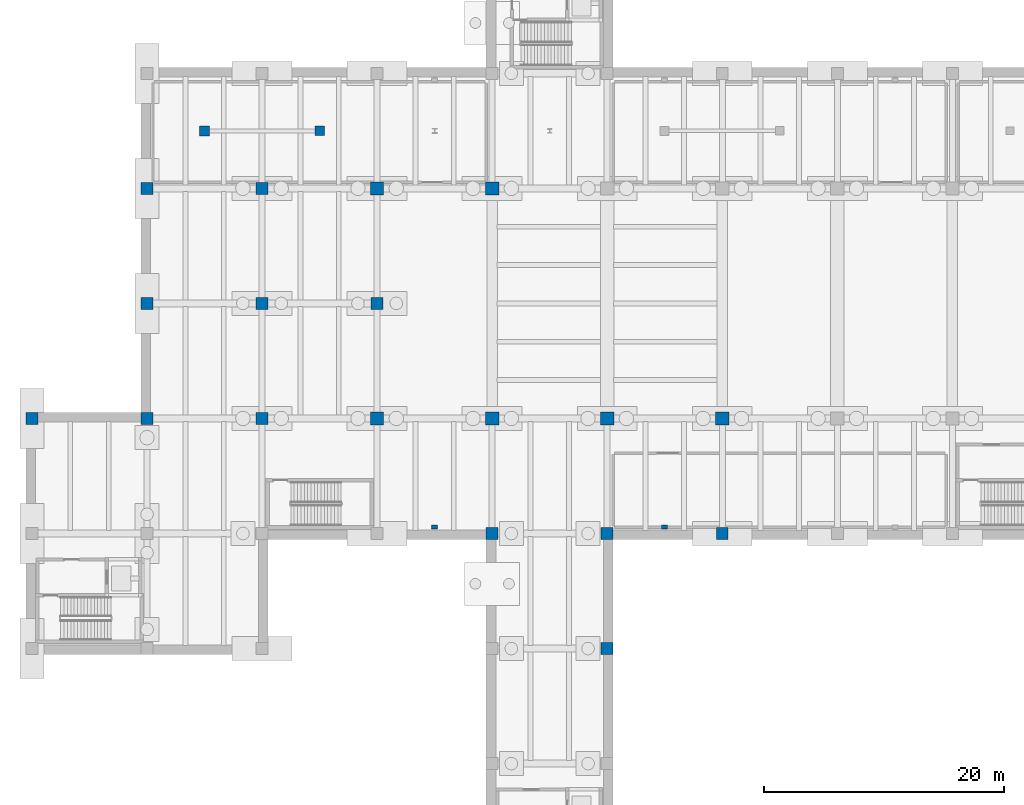
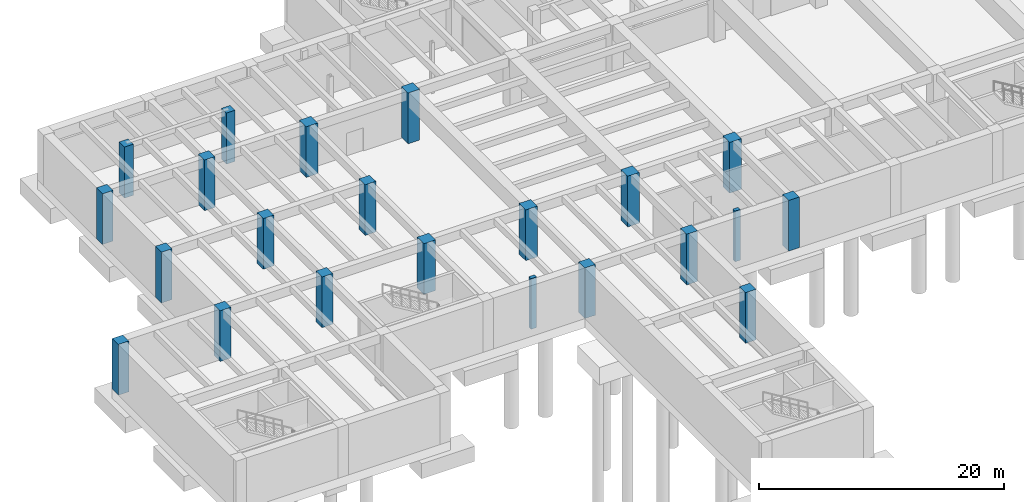
# One storey, part 2 of 24: 22 columns.
"""IFC4 building model written with IfcOpenShell, lengths in metres."""

from ifc_helpers import new_model, si_unit, direction, frame, origin, origin_2d, place, context, subcontext, project, spatial, rectangle, extrude, material, material_profile, profile_set, type_object, element, save


model = new_model("IFC4")

# Units and contexts
model_context = context("Model", 3, precision=1e-05, world=origin(), true_north=direction((0.0, 1.0)))
body_context = subcontext(model_context, "Body", "Model", "MODEL_VIEW")
ifc_project = project(units=[si_unit("LENGTHUNIT", "METRE"), si_unit("AREAUNIT", "SQUARE_METRE"), si_unit("VOLUMEUNIT", "CUBIC_METRE"), si_unit("PLANEANGLEUNIT", "RADIAN"), si_unit("MASSUNIT", "GRAM", prefix="KILO")], contexts=[model_context])

# Site, building, storey
site_placement = place(None, origin())
site = spatial("IfcSite", under=ifc_project, at=site_placement, CompositionType="ELEMENT")
building_placement = place(site_placement, origin())
building = spatial("IfcBuilding", under=site, at=building_placement, Name="Coralgate Yard Interchange", CompositionType="ELEMENT")
storey_placement = place(building_placement, frame((0.0, 0.0, -10.800048828125)))
storey = spatial("IfcBuildingStorey", under=building, at=storey_placement, Name="B2", CompositionType="ELEMENT", Elevation=-10.800048828125)

# Columns
ifc_material = material(Name="Concrete C40/50", Category="concrete")
ifc_material_profile_1 = material_profile(ifc_material, rectangle(XDim=1.10009765625, YDim=1.10009765625, at=origin_2d()), Name="RC 1100x1100")
ifc_profile_set_1 = profile_set([ifc_material_profile_1], Name="Concrete C40/50")
column_type_1 = type_object("IfcColumnType", Name="COL-CC-1", PredefinedType="COLUMN", material=ifc_profile_set_1)
for number, where, z_axis, x_axis, name in (
    (1, (38.39990234375, 48.0, 0.0), (0.0, 0.0, 1.0), (1.0, 0.0, 0.0), "B2 structural column 4-5"),
    (2, (38.39990234375, 67.199951171875, 0.0), (0.0, 0.0, 1.0), (1.0, 0.0, 0.0), "B2 structural column 4-7"),
    (3, (48.0, 48.0, 0.0), (0.0, 0.0, 1.0), (1.0, 0.0, 0.0), "B2 structural column 5-5"),
    (4, (48.0, 67.199951171875, 0.0), (0.0, 0.0, 1.0), (1.0, 0.0, 0.0), "B2 structural column 5-7"),
    (5, (57.60009765625, 48.0, 0.0), (0.0, 0.0, 1.0), (1.0, 0.0, 0.0), "B2 structural column 6-5"),
    (6, (67.199951171875, 48.0, 0.0), (0.0, 0.0, 1.0), (1.0, 0.0, 0.0), "B2 structural column 7-5"),
):
    element("IfcColumn", number, at=place(storey_placement, frame(where, z_axis=z_axis, x_axis=x_axis)), inside=storey, type_object=column_type_1, Name=name, PredefinedType="COLUMN", context=body_context, shape_type="SweptSolid", body=[
        extrude(rectangle(XDim=1.10009765625, YDim=1.10009765625, at=origin_2d()), origin(), (0.0, 0.0, 1.0), 5.050048828125),
    ])
ifc_material_profile_2 = material_profile(ifc_material, rectangle(XDim=1.0, YDim=1.0, at=origin_2d()), Name="RC 1000x1000")
ifc_profile_set_2 = profile_set([ifc_material_profile_2], Name="Concrete C40/50")
column_type_2 = type_object("IfcColumnType", Name="COL-CC-2", PredefinedType="COLUMN", material=ifc_profile_set_2)
for number, where, z_axis, x_axis, name in (
    (7, (9.60009765625, 48.0, 0.0), (0.0, 0.0, 1.0), (1.0, 0.0, 0.0), "B2 structural column 1-5"),
    (8, (19.199951171875, 48.0, 0.0), (0.0, 0.0, 1.0), (1.0, 0.0, 0.0), "B2 structural column 2-5"),
    (9, (19.199951171875, 57.60009765625, 0.0), (0.0, 0.0, 1.0), (1.0, 0.0, 0.0), "B2 structural column 2-6"),
    (10, (19.199951171875, 67.199951171875, 0.0), (0.0, 0.0, 1.0), (1.0, 0.0, 0.0), "B2 structural column 2-7"),
    (11, (28.800048828125, 48.0, 0.0), (0.0, 0.0, 1.0), (1.0, 0.0, 0.0), "B2 structural column 3-5"),
    (12, (28.800048828125, 57.60009765625, 0.0), (0.0, 0.0, 1.0), (1.0, 0.0, 0.0), "B2 structural column 3-6"),
    (13, (28.800048828125, 67.199951171875, 0.0), (0.0, 0.0, 1.0), (1.0, 0.0, 0.0), "B2 structural column 3-7"),
    (14, (38.39990234375, 57.60009765625, 0.0), (0.0, 0.0, 1.0), (1.0, 0.0, 0.0), "B2 structural column 4-6"),
    (15, (48.0, 38.39990234375, 0.0), (0.0, 0.0, 1.0), (1.0, 0.0, 0.0), "B2 structural column 5-4"),
    (16, (57.60009765625, 28.800048828125, 0.0), (0.0, 0.0, 1.0), (1.0, 0.0, 0.0), "B2 structural column 6-3"),
    (17, (57.60009765625, 38.39990234375, 0.0), (0.0, 0.0, 1.0), (1.0, 0.0, 0.0), "B2 structural column 6-4"),
    (18, (67.199951171875, 38.39990234375, 0.0), (0.0, 0.0, 1.0), (1.0, 0.0, 0.0), "B2 structural column 7-4"),
):
    element("IfcColumn", number, at=place(storey_placement, frame(where, z_axis=z_axis, x_axis=x_axis)), inside=storey, type_object=column_type_2, Name=name, PredefinedType="COLUMN", context=body_context, shape_type="SweptSolid", body=[
        extrude(rectangle(XDim=1.0, YDim=1.0, at=origin_2d()), origin(), (0.0, 0.0, 1.0), 5.050048828125),
    ])
ifc_material_profile_3 = material_profile(ifc_material, rectangle(XDim=0.85009765625, YDim=0.85009765625, at=origin_2d()), Name="RC 850x850")
ifc_profile_set_3 = profile_set([ifc_material_profile_3], Name="Concrete C40/50")
column_type_3 = type_object("IfcColumnType", Name="COL-CC-4", PredefinedType="COLUMN", material=ifc_profile_set_3)
column_1_placement = place(storey_placement, frame((24.0, 72.0, -0.050048828125), z_axis=(0.0, 0.0, 1.0), x_axis=(1.0, 0.0, 0.0)))
element("IfcColumn", 19, at=column_1_placement, inside=storey, type_object=column_type_3, Name="B2 plant support column 1", PredefinedType="COLUMN", context=body_context, shape_type="SweptSolid", body=[
    extrude(rectangle(XDim=0.85009765625, YDim=0.85009765625, at=origin_2d()), origin(), (0.0, 0.0, 1.0), 5.10009765625),
])
ifc_material_profile_4 = material_profile(ifc_material, rectangle(XDim=0.800048828125, YDim=0.800048828125, at=origin_2d()), Name="RC 800x800")
ifc_profile_set_4 = profile_set([ifc_material_profile_4], Name="Concrete C40/50")
column_type_4 = type_object("IfcColumnType", Name="COL-CC-5", PredefinedType="COLUMN", material=ifc_profile_set_4)
column_2_placement = place(storey_placement, frame((33.60009765625, 72.0, -0.050048828125), z_axis=(0.0, 0.0, 1.0), x_axis=(1.0, 0.0, 0.0)))
element("IfcColumn", 20, at=column_2_placement, inside=storey, type_object=column_type_4, Name="B2 plant support column 2", PredefinedType="COLUMN", context=body_context, shape_type="SweptSolid", body=[
    extrude(rectangle(XDim=0.800048828125, YDim=0.800048828125, at=origin_2d()), origin(), (0.0, 0.0, 1.0), 5.10009765625),
])
ifc_material_profile_5 = material_profile(ifc_material, rectangle(XDim=0.5, YDim=0.35009765625, at=origin_2d()), Name="RC 500x350")
ifc_profile_set_5 = profile_set([ifc_material_profile_5], Name="Concrete C40/50")
column_type_5 = type_object("IfcColumnType", Name="COL-CP-1", PredefinedType="PILASTER", material=ifc_profile_set_5)
for number, where, z_axis, x_axis, name in (
    (21, (43.199951171875, 38.949951171875, 0.0), (0.0, 0.0, 1.0), (1.0, 0.0, 0.0), "B2 diaphragm wall pilaster S1"),
    (22, (62.39990234375, 38.949951171875, 0.0), (0.0, 0.0, 1.0), (1.0, 0.0, 0.0), "B2 diaphragm wall pilaster S2"),
):
    element("IfcColumn", number, at=place(storey_placement, frame(where, z_axis=z_axis, x_axis=x_axis)), inside=storey, type_object=column_type_5, Name=name, PredefinedType="PILASTER", context=body_context, shape_type="SweptSolid", body=[
        extrude(rectangle(XDim=0.5, YDim=0.35009765625, at=origin_2d()), origin(), (0.0, 0.0, 1.0), 5.050048828125),
    ])

save(model, "model.ifc")
